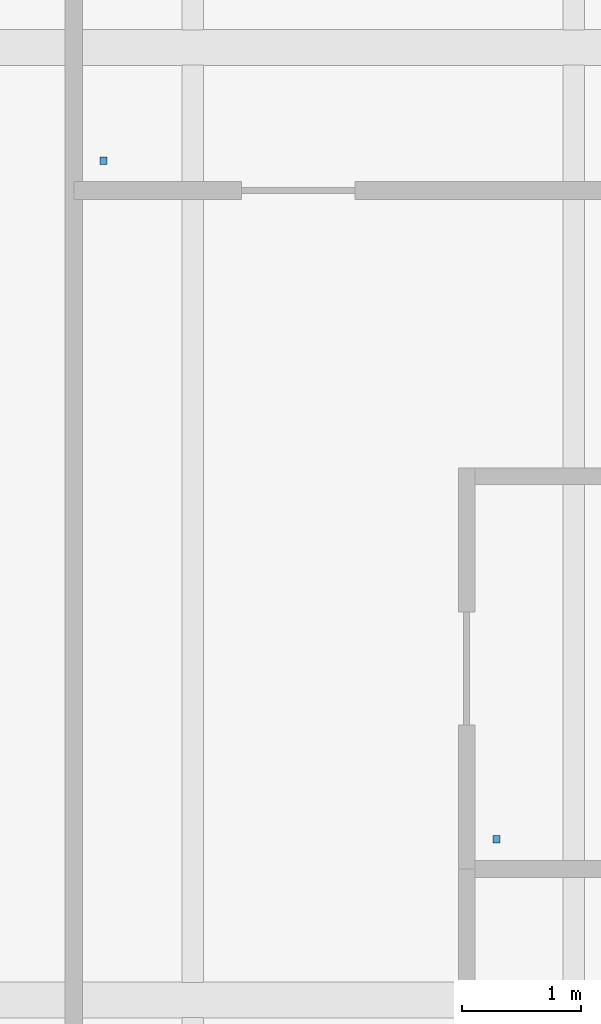
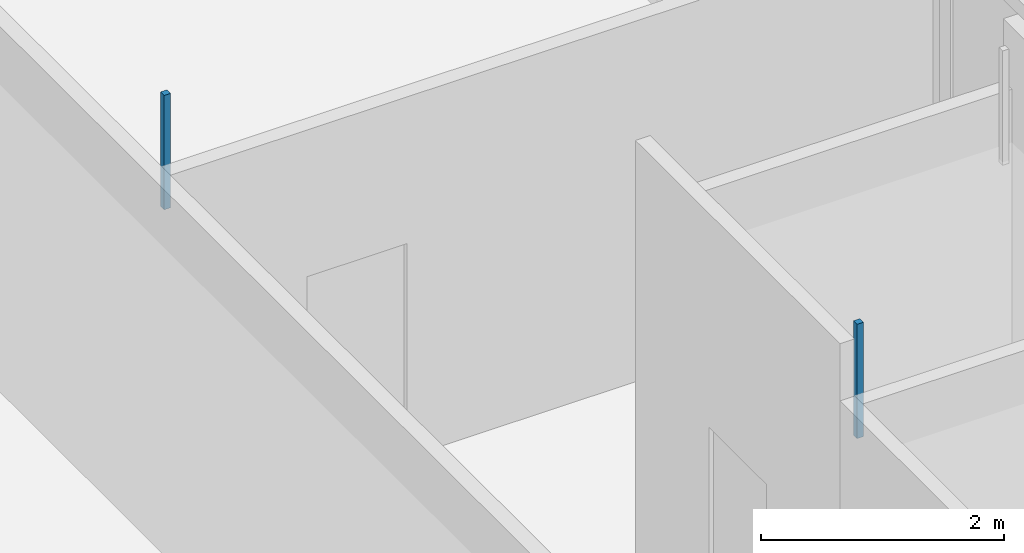
# One storey, part 60 of 93: 2 discrete accessories.
"""IFC4 building model written with IfcOpenShell, lengths in metres."""

from ifc_helpers import new_model, si_unit, direction, frame, origin, place, context, subcontext, project, spatial, polyline, outline, extrude, material, type_object, element, save


model = new_model("IFC4")

# Units and contexts
model_context = context("Model", 3, precision=1e-05, world=origin(), true_north=direction((0.0, 1.0)))
body_context = subcontext(model_context, "Body", "Model", "MODEL_VIEW")
ifc_project = project(units=[si_unit("LENGTHUNIT", "METRE"), si_unit("AREAUNIT", "SQUARE_METRE"), si_unit("VOLUMEUNIT", "CUBIC_METRE"), si_unit("PLANEANGLEUNIT", "RADIAN"), si_unit("MASSUNIT", "GRAM", prefix="KILO")], contexts=[model_context])

# Site, building, storey
site_placement = place(None, origin())
site = spatial("IfcSite", under=ifc_project, at=site_placement, CompositionType="ELEMENT")
building_placement = place(site_placement, origin())
building = spatial("IfcBuilding", under=site, at=building_placement, Name="Dunescarp Central Library", CompositionType="ELEMENT")
storey_placement = place(building_placement, frame((0.0, 0.0, 14.10009765625)))
storey = spatial("IfcBuildingStorey", under=building, at=storey_placement, Name="L03", CompositionType="ELEMENT", Elevation=14.10009765625)

# Discrete accessories
ifc_material = material(Name="Stainless steel Grade 316L", Category="steel")
discrete_accessory_type = type_object("IfcDiscreteAccessoryType", Name="ARC-ACC-BRK", PredefinedType="BRACKET", material=ifc_material)
discrete_accessory_1_placement = place(storey_placement, frame((0.0, 0.0, 3.059814453125)))
element("IfcDiscreteAccessory", 1, at=discrete_accessory_1_placement, inside=storey, type_object=discrete_accessory_type, Name="L03 ceiling hanger CLG-L03-023-H1", PredefinedType="BRACKET", context=body_context, shape_type="SweptSolid", body=[
    extrude(outline(polyline([(29.719970703125, 22.1201171875), (29.780029296875, 22.1201171875), (29.780029296875, 22.179931640625), (29.719970703125, 22.179931640625), (29.719970703125, 22.1201171875)])), origin(), (0.0, 0.0, 1.0), 1.150146484375),
])
discrete_accessory_2_placement = place(storey_placement, frame((0.0, 0.0, 3.059814453125)))
element("IfcDiscreteAccessory", 2, at=discrete_accessory_2_placement, inside=storey, type_object=discrete_accessory_type, Name="L03 ceiling hanger CLG-L03-028-H1", PredefinedType="BRACKET", context=body_context, shape_type="SweptSolid", body=[
    extrude(outline(polyline([(26.419921875, 27.820068359375), (26.47998046875, 27.820068359375), (26.47998046875, 27.8798828125), (26.419921875, 27.8798828125), (26.419921875, 27.820068359375)])), origin(), (0.0, 0.0, 1.0), 1.150146484375),
])

save(model, "model.ifc")
